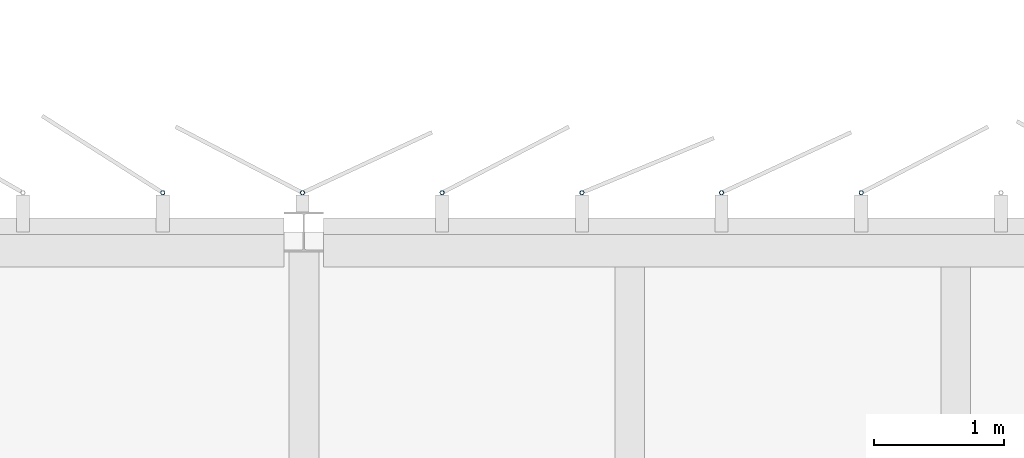
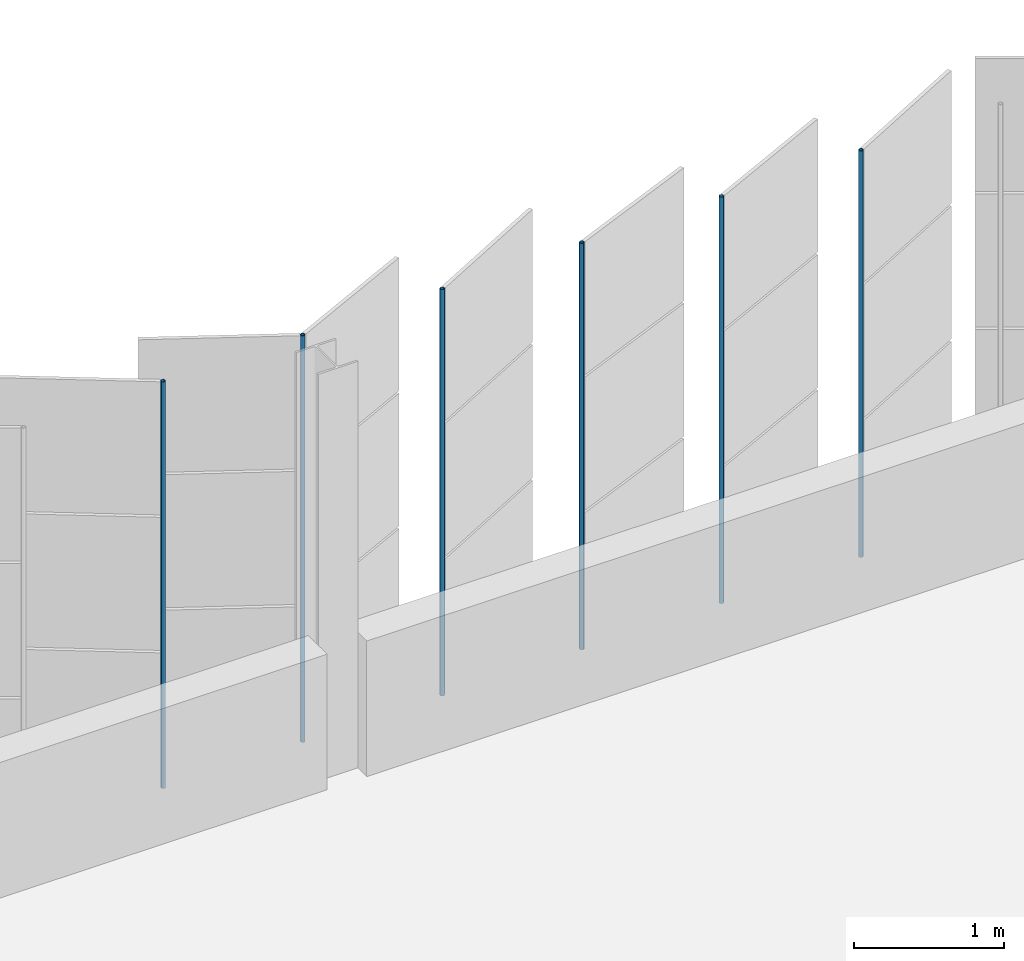
# One storey, part 140 of 199: 6 discrete accessories.
"""IFC4 building model written with IfcOpenShell, lengths in metres."""

from ifc_helpers import new_model, si_unit, direction, frame, origin, origin_2d, place, context, subcontext, project, spatial, hollow_circle, extrude, material, material_profile, profile_set, type_object, element, save


model = new_model("IFC4")

# Units and contexts
model_context = context("Model", 3, precision=1e-05, world=origin(), true_north=direction((0.0, 1.0)))
body_context = subcontext(model_context, "Body", "Model", "MODEL_VIEW")
ifc_project = project(units=[si_unit("LENGTHUNIT", "METRE"), si_unit("AREAUNIT", "SQUARE_METRE"), si_unit("VOLUMEUNIT", "CUBIC_METRE"), si_unit("PLANEANGLEUNIT", "RADIAN"), si_unit("MASSUNIT", "GRAM", prefix="KILO")], contexts=[model_context])

# Site, building, storey
site_placement = place(None, origin())
site = spatial("IfcSite", under=ifc_project, at=site_placement, CompositionType="ELEMENT")
building_placement = place(site_placement, origin())
building = spatial("IfcBuilding", under=site, at=building_placement, Name="Parallax Yard Mobility Hub", CompositionType="ELEMENT")
storey_placement = place(building_placement, frame((0.0, 0.0, 9.89990234375)))
storey = spatial("IfcBuildingStorey", under=building, at=storey_placement, Name="L03", CompositionType="ELEMENT", Elevation=9.89990234375)

# Discrete accessories
ifc_material = material(Name="Steel ASTM A500 Gr C, hot-dip galvanised", Category="steel")
ifc_material_profile = material_profile(ifc_material, hollow_circle(Radius=0.016845703125, WallThickness=0.003173828125, at=origin_2d()), Name="CHS 33.7x3.2")
ifc_profile_set = profile_set([ifc_material_profile], Name="Steel ASTM A500 Gr C, hot-dip galvanised")
discrete_accessory_type = type_object("IfcDiscreteAccessoryType", Name="Hinge post CHS 33.7x3.2", PredefinedType="BRACKET", material=ifc_profile_set)
for number, where, z_axis, x_axis, name in (
    (1, (71.775634765625, 142.800048828125, 0.0), (0.0, 0.0, 1.0), (1.0, 0.0, 0.0), "Hinge post bay 64.4 level L03"),
    (2, (70.7041015625, 142.800048828125, 0.0), (0.0, 0.0, 1.0), (1.0, 0.0, 0.0), "Hinge post bay 64.5 level L03"),
    (3, (69.632568359375, 142.800048828125, 0.0), (0.0, 0.0, 1.0), (1.0, 0.0, 0.0), "Hinge post bay 64.6 level L03"),
    (4, (68.56103515625, 142.800048828125, 0.0), (0.0, 0.0, 1.0), (1.0, 0.0, 0.0), "Hinge post bay 64.7 level L03"),
    (5, (67.489501953125, 142.800048828125, 0.0), (0.0, 0.0, 1.0), (1.0, 0.0, 0.0), "Hinge post bay 65.1 level L03"),
    (6, (66.41796875, 142.800048828125, 0.0), (0.0, 0.0, 1.0), (1.0, 0.0, 0.0), "Hinge post bay 65.2 level L03"),
):
    element("IfcDiscreteAccessory", number, at=place(storey_placement, frame(where, z_axis=z_axis, x_axis=x_axis)), inside=storey, type_object=discrete_accessory_type, Name=name, PredefinedType="BRACKET", context=body_context, shape_type="SweptSolid", body=[
        extrude(hollow_circle(Radius=0.016845703125, WallThickness=0.003173828125, at=origin_2d()), origin(), (0.0, 0.0, 1.0), 3.300048828125),
    ])

save(model, "model.ifc")
